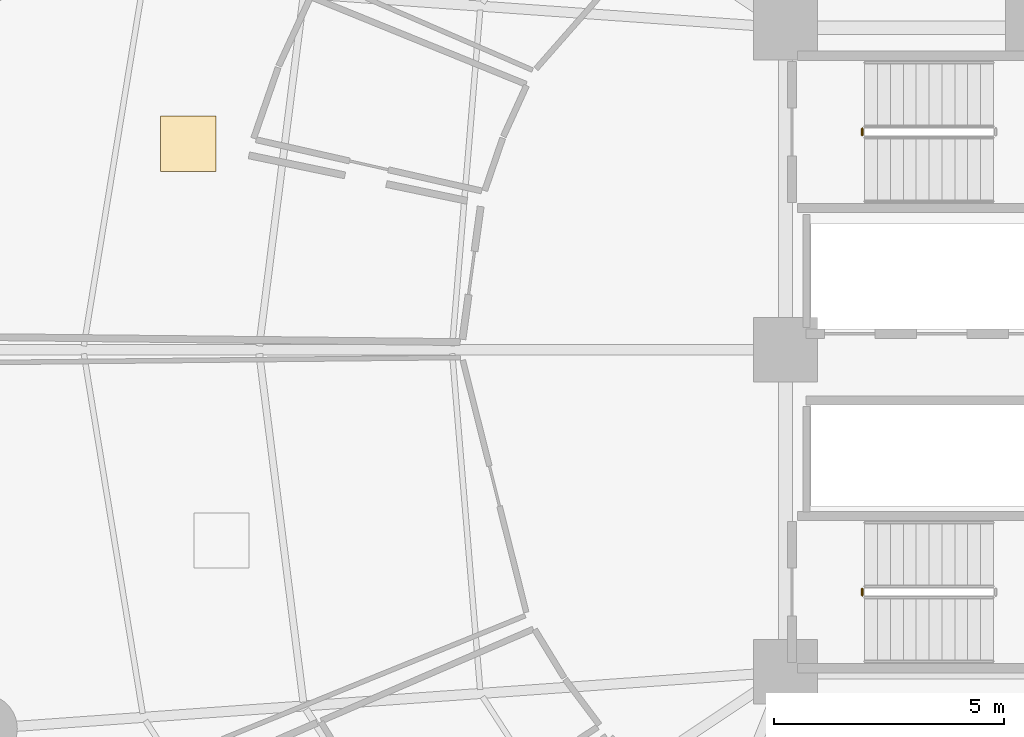
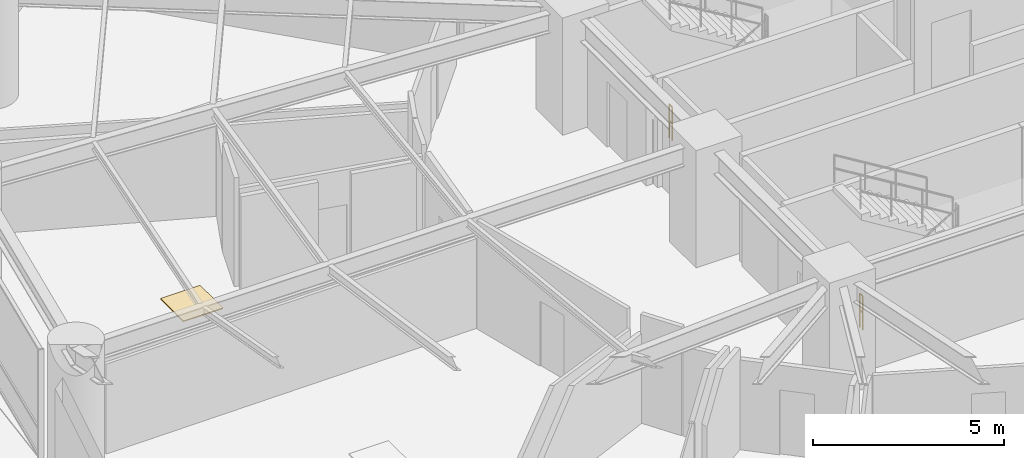
# One storey, part 32 of 35: 2 railings, 1 covering.
"""IFC4 building model written with IfcOpenShell, lengths in metres."""

from ifc_helpers import new_model, si_unit, direction, frame, origin, origin_2d, place, context, subcontext, project, spatial, polyline, rectangle, outline, extrude, source, transform, mapped, material, layer, layer_set, type_object, element, save


model = new_model("IFC4")

# Units and contexts
model_context = context("Model", 3, precision=1e-05, world=origin(), true_north=direction((0.0, 1.0)))
body_context = subcontext(model_context, "Body", "Model", "MODEL_VIEW")
ifc_project = project(units=[si_unit("LENGTHUNIT", "METRE"), si_unit("AREAUNIT", "SQUARE_METRE"), si_unit("VOLUMEUNIT", "CUBIC_METRE"), si_unit("PLANEANGLEUNIT", "RADIAN"), si_unit("MASSUNIT", "GRAM", prefix="KILO")], contexts=[model_context])

# Site, building, storey
site_placement = place(None, origin())
site = spatial("IfcSite", under=ifc_project, at=site_placement, CompositionType="ELEMENT")
building_placement = place(site_placement, origin())
building = spatial("IfcBuilding", under=site, at=building_placement, Name="Kelanora Arch Commons", CompositionType="ELEMENT")
storey_placement = place(building_placement, frame((0.0, 0.0, 22.5)))
storey = spatial("IfcBuildingStorey", under=building, at=storey_placement, Name="L05", CompositionType="ELEMENT", Elevation=22.5)

# Railings
ifc_material_1 = material(Name="Painted steel stair well guard", Category="steel")
railing_type = type_object("IfcRailingType", Name="RAIL-STAIR-GRD", PredefinedType="GUARDRAIL", material=ifc_material_1)
for number, where, name in (
    (1, (67.669921875, 62.659912109375, 0.0), "L05 ST-T1 stair guard 4"),
    (2, (67.669921875, 52.659912109375, 0.0), "L05 ST-T3 stair guard 4"),
):
    element("IfcRailing", number, at=place(storey_placement, frame(where)), inside=storey, type_object=railing_type, Name=name, PredefinedType="GUARDRAIL", context=body_context, shape_type="SweptSolid", body=[
        extrude(outline(polyline([(0.02392578125, 0.0), (0.011962890625, 0.020751953125), (-0.011962890625, 0.020751953125), (-0.02392578125, 0.0), (-0.011962890625, -0.020751953125), (0.011962890625, -0.020751953125), (0.02392578125, 0.0)])), frame((0.0, 0.0, 1.076171875), z_axis=(0.0, 1.0, 0.0), x_axis=(-1.0, 0.0, 0.0)), (0.0, 0.0, 1.0), 0.150146484375),
        extrude(outline(polyline([(0.02392578125, 0.0), (0.011962890625, 0.020751953125), (-0.011962890625, 0.020751953125), (-0.02392578125, 0.0), (-0.011962890625, -0.020751953125), (0.011962890625, -0.020751953125), (0.02392578125, 0.0)])), frame((0.0, 0.0, 0.550048828125), z_axis=(0.0, 1.0, 0.0), x_axis=(-1.0, 0.0, 0.0)), (0.0, 0.0, 1.0), 0.150146484375),
        extrude(outline(polyline([(0.02099609375, 0.0), (0.010498046875, 0.01806640625), (-0.010498046875, 0.01806640625), (-0.02099609375, 0.0), (-0.010498046875, -0.01806640625), (0.010498046875, -0.01806640625), (0.02099609375, 0.0)])), origin(), (0.0, 0.0, 1.0), 1.052001953125),
        extrude(outline(polyline([(0.02099609375, 0.0), (0.010498046875, 0.01806640625), (-0.010498046875, 0.01806640625), (-0.02099609375, 0.0), (-0.010498046875, -0.01806640625), (0.010498046875, -0.01806640625), (0.02099609375, 0.0)])), frame((0.0, 0.150146484375, 0.0)), (0.0, 0.0, 1.0), 1.052001953125),
    ])

# Covering
ifc_material_2 = material(Name="Polished local granite terrazzo flooring", Category="masonry")
ifc_layer = layer(ifc_material_2, 0.030029296875)
ifc_layer_set = layer_set([ifc_layer], Name="Polished local granite terrazzo flooring")
covering_type = type_object("IfcCoveringType", Name="COV-FLR-TER", PredefinedType="FLOORING", material=ifc_layer_set)
shared_shape = source(origin(), body_context, "Body", "SweptSolid", [
    extrude(rectangle(XDim=1.199951171875, YDim=1.199951171875, at=origin_2d()), origin(), (0.0, 0.0, 1.0), 0.030029296875),
])
covering_placement = place(storey_placement, frame((53.017333984375, 62.48046875, 0.0), z_axis=(0.0, 0.0, 1.0), x_axis=(1.0, 0.0, 0.0)))
element("IfcCovering", 3, at=covering_placement, inside=storey, type_object=covering_type, Name="Co-Living Studio L05-07 Terrazzo Finish", PredefinedType="FLOORING", context=body_context, shape_type="MappedRepresentation", body=[
    mapped(shared_shape, transform((0.0, 0.0, 0.0), scale=1.0)),
])

save(model, "model.ifc")
